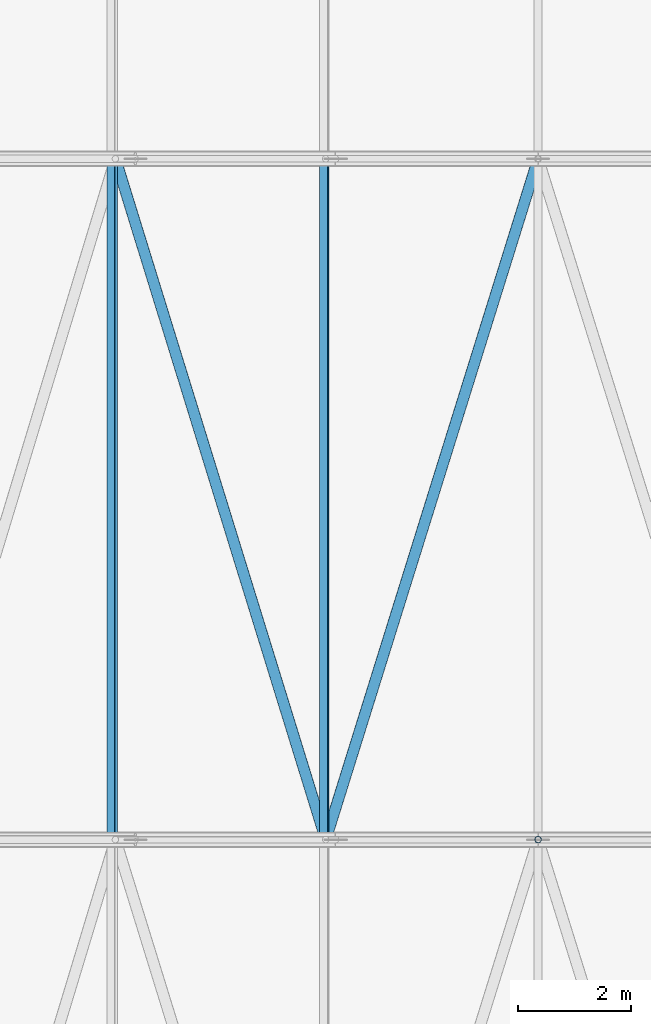
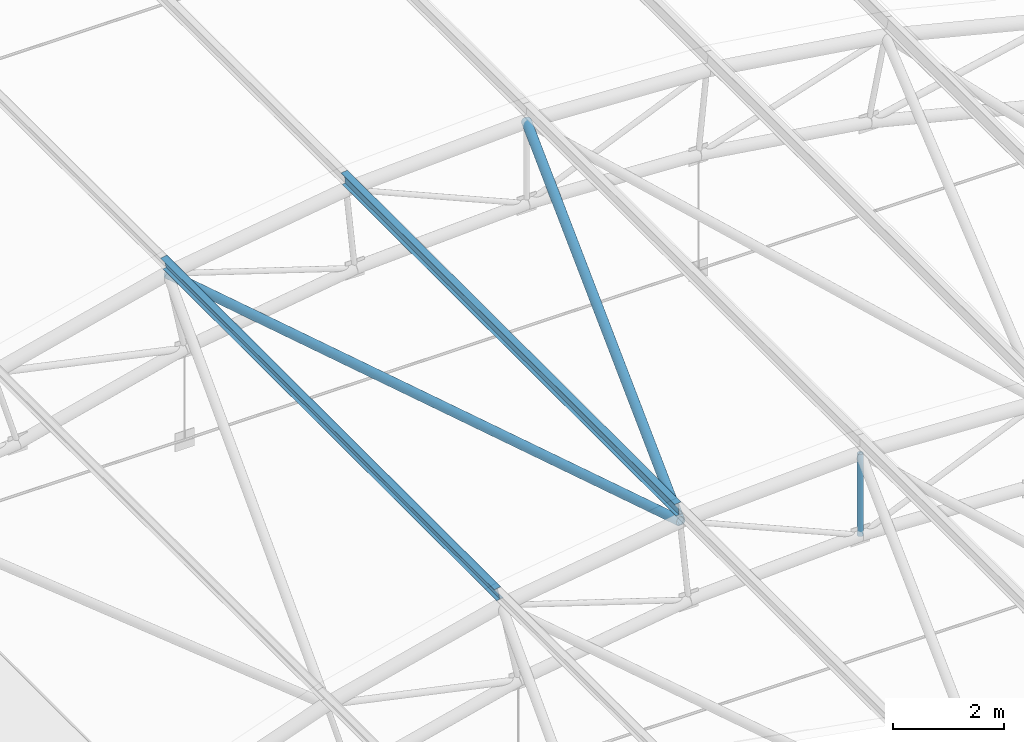
# One storey, part 209 of 321: 5 members.
"""IFC4 building model written with IfcOpenShell, lengths in metres."""

import ifcopenshell
import ifcopenshell.guid

model = None  # the IFC model being written
_history = None  # IfcOwnerHistory: only IFC2X3 demands one
_inside = {}  # id of a spatial element -> (the spatial element, [elements in it])
_under = {}  # id of a project, library or spatial element -> (it, [spatial elements below it])
_declared = {}  # id of a project -> (the project, [libraries it declares])
_typed = {}  # id of a type object -> (the type object, [elements of that type])
_made_of = {}  # id of a material, layer set ... -> (it, [elements and type objects made of it])


def new_model(schema):
    """Start an empty IFC model of exactly this schema.

    Asked for "IFC4X3", IfcOpenShell would pick the latest addendum, in which some entities
    have other attributes; the version numbers below select the first issue.
    IFC2X3 requires an IfcOwnerHistory on every rooted entity: one is made here for all.
    """
    global model, _history
    if schema == "IFC4X3":
        model = ifcopenshell.file(schema_version=(4, 3, 0, 0))
    else:
        model = ifcopenshell.file(schema=schema)
    _inside.clear()
    _under.clear()
    _declared.clear()
    _typed.clear()
    _made_of.clear()
    _history = None
    if model.schema == "IFC2X3":
        org = make("IfcOrganization", Name="unknown")
        user = make(
            "IfcPersonAndOrganization",
            ThePerson=make("IfcPerson", FamilyName="unknown"),
            TheOrganization=org,
        )
        app = make(
            "IfcApplication",
            ApplicationDeveloper=org,
            Version="unknown",
            ApplicationFullName="unknown",
            ApplicationIdentifier="unknown",
        )
        _history = make(
            "IfcOwnerHistory",
            OwningUser=user,
            OwningApplication=app,
            ChangeAction="ADDED",
            CreationDate=0,
        )
    return model


def make(cls, **values):
    """One entity of the class cls with the attributes given. An attribute that is None is left unset."""
    return model.create_entity(
        cls, **{name: value for name, value in values.items() if value is not None}
    )


def rooted(cls, **values):
    """An entity with a GlobalId (a new one), such as an element, a storey or a relation."""
    return make(cls, GlobalId=ifcopenshell.guid.new(), OwnerHistory=_history, **values)


def si_unit(unit_type, name, prefix=None):
    """IfcSIUnit, for example si_unit("LENGTHUNIT", "METRE", prefix="MILLI")."""
    return make("IfcSIUnit", UnitType=unit_type, Prefix=prefix, Name=name)


def assignment(units):
    """IfcUnitAssignment: the units of a project."""
    return None if units is None else make("IfcUnitAssignment", Units=units)


def point(xyz):
    """IfcCartesianPoint."""
    return None if xyz is None else make("IfcCartesianPoint", Coordinates=xyz)


def direction(xyz):
    """IfcDirection."""
    return None if xyz is None else make("IfcDirection", DirectionRatios=xyz)


def frame(location, z_axis=None, x_axis=None):
    """IfcAxis2Placement3D, a coordinate frame: its origin and axes. An axis left out is left unset."""
    return make(
        "IfcAxis2Placement3D",
        Location=point(location),
        Axis=direction(z_axis),
        RefDirection=direction(x_axis),
    )


def frame_2d(location, x_axis=None):
    """IfcAxis2Placement2D, a coordinate frame in the plane: its origin and x axis."""
    return make(
        "IfcAxis2Placement2D", Location=point(location), RefDirection=direction(x_axis)
    )


def origin():
    """The frame at (0, 0, 0) with its axes left unset."""
    return frame((0.0, 0.0, 0.0))


def origin_2d():
    """The frame at (0, 0) in the plane with its x axis left unset."""
    return frame_2d((0.0, 0.0))


def place(relative_to, where):
    """IfcLocalPlacement: puts the frame where relative to a parent placement (None: the world)."""
    return make(
        "IfcLocalPlacement", PlacementRelTo=relative_to, RelativePlacement=where
    )


def context(
    kind, dimensions, precision=None, world=None, true_north=None, identifier=None
):
    """IfcGeometricRepresentationContext, for example the 3D "Model" context."""
    return make(
        "IfcGeometricRepresentationContext",
        ContextIdentifier=identifier,
        ContextType=kind,
        CoordinateSpaceDimension=dimensions,
        Precision=precision,
        WorldCoordinateSystem=world,
        TrueNorth=true_north,
    )


def subcontext(parent, identifier, kind, view, scale=None):
    """IfcGeometricRepresentationSubContext, for example "Body" below "Model"."""
    return make(
        "IfcGeometricRepresentationSubContext",
        ContextIdentifier=identifier,
        ContextType=kind,
        ParentContext=parent,
        TargetScale=scale,
        TargetView=view,
    )


def project(units=None, contexts=None):
    """IfcProject with its units and contexts."""
    return rooted(
        "IfcProject",
        Name="project",
        RepresentationContexts=contexts,
        UnitsInContext=assignment(units),
    )


def spatial(cls, under=None, at=None, **own):
    """A site, building, storey or space (cls), placed at a placement, below another one or the project."""
    s = rooted(cls, ObjectPlacement=at, **own)
    if under is not None:
        _under.setdefault(under.id(), (under, []))[1].append(s)
    return s


def profile(cls, at=None, kind="AREA", **sizes):
    """A parametric profile (cls). Its sizes go by their IFC names, for example OverallWidth=200.0."""
    return make(cls, ProfileType=kind, Position=at, **sizes)


def hollow_circle(**sizes):
    """IfcCircleHollowProfileDef."""
    return profile("IfcCircleHollowProfileDef", **sizes)


def i_section(**sizes):
    """IfcIShapeProfileDef."""
    return profile("IfcIShapeProfileDef", **sizes)


def extrude(swept, where, along, depth):
    """IfcExtrudedAreaSolid: the profile swept, set in the frame where, extruded along a direction by depth."""
    return make(
        "IfcExtrudedAreaSolid",
        SweptArea=swept,
        Position=where,
        ExtrudedDirection=direction(along),
        Depth=depth,
    )


def shape(context_of_items, identifier, shape_type, items):
    """IfcShapeRepresentation: the items that make up one representation, for example the "Body"."""
    return make(
        "IfcShapeRepresentation",
        ContextOfItems=context_of_items,
        RepresentationIdentifier=identifier,
        RepresentationType=shape_type,
        Items=items,
    )


def material(Name=None, Category=None):
    """IfcMaterial."""
    return make("IfcMaterial", Name=Name, Category=Category)


def material_profile(
    of_material, cross_section, Name=None, Category=None, Priority=None
):
    """IfcMaterialProfile: a cross section and its material."""
    return make(
        "IfcMaterialProfile",
        Name=Name,
        Material=of_material,
        Profile=cross_section,
        Priority=Priority,
        Category=Category,
    )


def profile_set(profiles, Name=None, composite=None):
    """IfcMaterialProfileSet."""
    return make(
        "IfcMaterialProfileSet",
        Name=Name,
        MaterialProfiles=profiles,
        CompositeProfile=composite,
    )


def made_of(thing, what):
    """Note that an element or type object is made of a material, layer set ...; save() writes the relation."""
    if what is not None:
        _made_of.setdefault(what.id(), (what, []))[1].append(thing)
    return thing


def type_object(cls, material=None, **own):
    """A type object (cls), such as IfcWallType, which elements share."""
    return made_of(rooted(cls, **own), material)


def element(
    cls,
    number,
    at=None,
    inside=None,
    cuts=None,
    type_object=None,
    material=None,
    context=None,
    identifier="Body",
    shape_type=None,
    held_by="IfcProductDefinitionShape",
    body=None,
    shapes=None,
    **own,
):
    """One element of the class cls, such as IfcWall. Its Tag is "e" and its number.

    at: its placement. inside: the storey or other place that contains it. cuts: it is an
    opening in that element (IfcRelVoidsElement). A single representation is given by context,
    identifier, shape_type and body (its items); several are given by shapes. held_by: the class
    of the entity that holds the representations. save() writes the other relations.
    """
    e = rooted(cls, Tag="e%d" % number, ObjectPlacement=at, **own)
    if body is not None:
        shapes = [shape(context, identifier, shape_type, body)]
    if shapes is not None:
        e.Representation = make(held_by, Representations=shapes)
    if inside is not None:
        _inside.setdefault(inside.id(), (inside, []))[1].append(e)
    if cuts is not None:
        rooted(
            "IfcRelVoidsElement", RelatingBuildingElement=cuts, RelatedOpeningElement=e
        )
    if type_object is not None:
        _typed.setdefault(type_object.id(), (type_object, []))[1].append(e)
    return made_of(e, material)


def aggregate(whole, parts):
    """IfcRelAggregates: a whole, such as a stair, and the parts it consists of."""
    return rooted("IfcRelAggregates", RelatingObject=whole, RelatedObjects=parts)


def save(model, path):
    """Write the relations noted so far, then the file.

    IfcRelAggregates (storeys below a building ...), IfcRelContainedInSpatialStructure (elements
    in a storey), IfcRelDefinesByType, IfcRelAssociatesMaterial and IfcRelDeclares: one each for
    every whole, place, type object, material and project.
    """
    for whole, parts in _under.values():
        aggregate(whole, parts)
    for where, things in _inside.values():
        rooted(
            "IfcRelContainedInSpatialStructure",
            RelatedElements=things,
            RelatingStructure=where,
        )
    for kind, things in _typed.values():
        rooted("IfcRelDefinesByType", RelatedObjects=things, RelatingType=kind)
    for what, things in _made_of.values():
        rooted("IfcRelAssociatesMaterial", RelatedObjects=things, RelatingMaterial=what)
    for by, libraries in _declared.values():
        rooted("IfcRelDeclares", RelatingContext=by, RelatedDefinitions=libraries)
    model.write(path)


model = new_model("IFC4")

# Units and contexts
model_context = context("Model", 3, precision=1e-05, world=origin(), true_north=direction((0.0, 1.0)))
body_context = subcontext(model_context, "Body", "Model", "MODEL_VIEW")
ifc_project = project(units=[si_unit("LENGTHUNIT", "METRE"), si_unit("AREAUNIT", "SQUARE_METRE"), si_unit("VOLUMEUNIT", "CUBIC_METRE"), si_unit("PLANEANGLEUNIT", "RADIAN"), si_unit("MASSUNIT", "GRAM", prefix="KILO")], contexts=[model_context])

# Site, building, storey
site_placement = place(None, origin())
site = spatial("IfcSite", under=ifc_project, at=site_placement, CompositionType="ELEMENT")
building_placement = place(site_placement, origin())
building = spatial("IfcBuilding", under=site, at=building_placement, Name="Ravi Spectrum Wholesale Market", CompositionType="ELEMENT")
storey_placement = place(building_placement, frame((0.0, 0.0, 10.800048828125)))
storey = spatial("IfcBuildingStorey", under=building, at=storey_placement, Name="L02", CompositionType="ELEMENT", Elevation=10.800048828125)

# Members
ifc_material_1 = material(Name="Steel S355", Category="steel")
ifc_material_profile_1 = material_profile(ifc_material_1, hollow_circle(Radius=0.05712890625, WallThickness=0.00390625, at=origin_2d()))
ifc_profile_set_1 = profile_set([ifc_material_profile_1], Name="Steel S355")
member_type_1 = type_object("IfcMemberType", Name="CHS 114.3x4 post", PredefinedType="POST", material=ifc_profile_set_1)
member_placement = place(storey_placement, frame((180.0, 150.0, 4.5), z_axis=(0.0, 0.0, -1.0), x_axis=(1.0, 0.0, 0.0)))
element("IfcMember", 1, at=member_placement, inside=storey, type_object=member_type_1, Name="H3-MB-L02-065", PredefinedType="POST", context=body_context, shape_type="SweptSolid", body=[
    extrude(hollow_circle(Radius=0.05712890625, WallThickness=0.00390625, at=origin_2d()), origin(), (0.0, 0.0, 1.0), 1.800048828125),
])
ifc_material_2 = material(Name="Steel S355", Category="steel")
ifc_material_profile_2 = material_profile(ifc_material_2, hollow_circle(Radius=0.096923828125, WallThickness=0.00634765625, at=origin_2d()))
ifc_profile_set_2 = profile_set([ifc_material_profile_2], Name="Steel S355")
member_type_2 = type_object("IfcMemberType", Name="CHS 193.7x6.3 brace", PredefinedType="BRACE", material=ifc_profile_set_2)
for number, where, z_axis, x_axis, name in (
    (2, (172.551513671875, 162.0, 3.767822265625), (0.294822229277, -0.954555181704, 0.043637807074), (0.955465341564, 0.295103339646, 0.0), "H3-MB-L02-258"),
    (3, (176.2578125, 150.0, 4.31640625), (0.2976769651, 0.954554944454, 0.014604193486), (-0.954656755657, 0.297708714818, 0.0), "H3-MB-L02-259"),
):
    element("IfcMember", number, at=place(storey_placement, frame(where, z_axis=z_axis, x_axis=x_axis)), inside=storey, type_object=member_type_2, Name=name, PredefinedType="BRACE", context=body_context, shape_type="SweptSolid", body=[
        extrude(hollow_circle(Radius=0.096923828125, WallThickness=0.00634765625, at=origin_2d()), origin(), (0.0, 0.0, 1.0), 12.5712890625),
    ])
ifc_material_3 = material(Name="Steel S355", Category="steel")
ifc_material_profile_3 = material_profile(ifc_material_3, i_section(OverallWidth=0.135009765625, OverallDepth=0.27001953125, WebThickness=0.006591796875, FlangeThickness=0.01025390625, at=origin_2d()))
ifc_profile_set_3 = profile_set([ifc_material_profile_3], Name="Steel S355")
member_type_3 = type_object("IfcMemberType", Name="IPE 270 purlin", PredefinedType="PURLIN", material=ifc_profile_set_3)
for number, where, z_axis, x_axis, name in (
    (4, (172.498779296875, 150.0, 4.033935546875), (0.0, 1.0, 0.0), (-0.980856735855, 0.0, -0.194730746744), "H3-MB-L02-215"),
    (5, (176.231201171875, 150.0, 4.586669921875), (0.0, 1.0, 0.0), (-0.995202677663, 0.0, -0.097834709449), "H3-MB-L02-216"),
):
    element("IfcMember", number, at=place(storey_placement, frame(where, z_axis=z_axis, x_axis=x_axis)), inside=storey, type_object=member_type_3, Name=name, PredefinedType="PURLIN", context=body_context, shape_type="SweptSolid", body=[
        extrude(i_section(OverallWidth=0.135009765625, OverallDepth=0.27001953125, WebThickness=0.006591796875, FlangeThickness=0.01025390625, at=origin_2d()), origin(), (0.0, 0.0, 1.0), 12.0),
    ])

save(model, "model.ifc")
